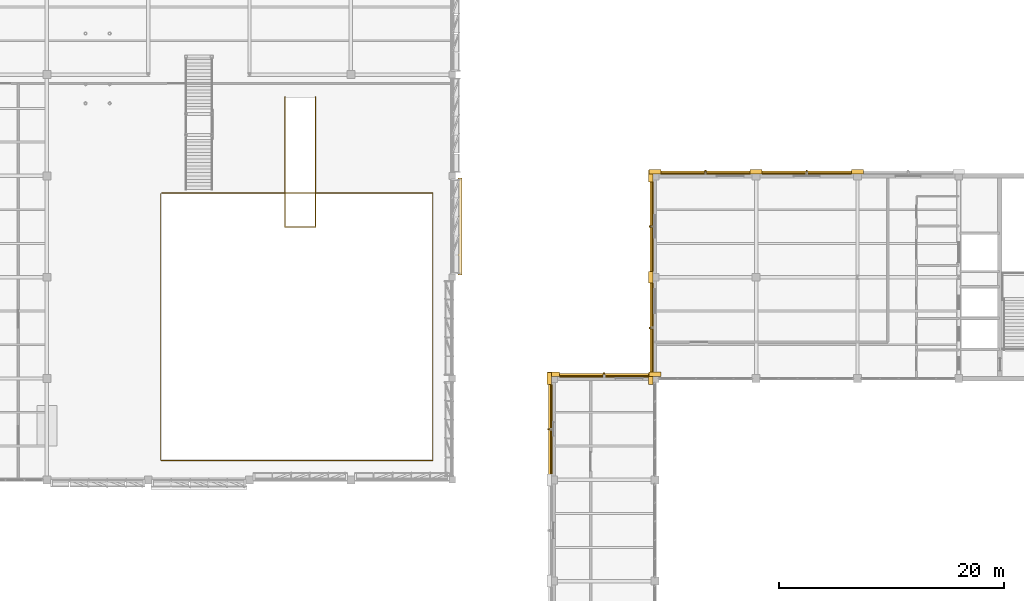
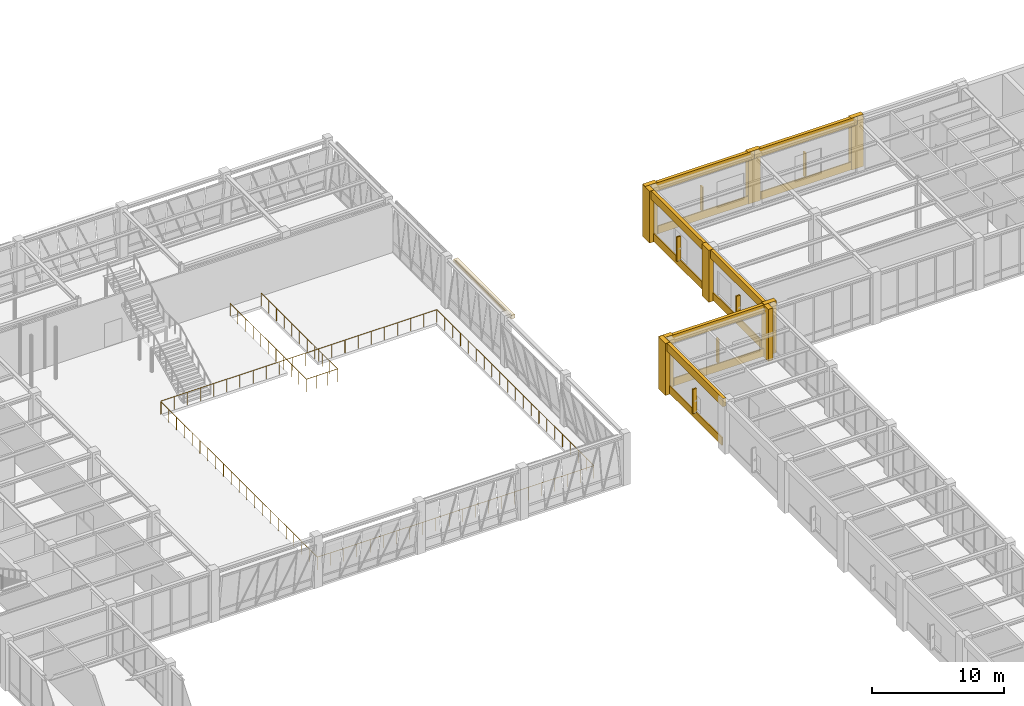
# One storey, part 97 of 98: 22 coverings, 6 shading devices, 2 railings.
"""IFC4 building model written with IfcOpenShell, lengths in metres."""

import ifcopenshell
import ifcopenshell.guid

model = None  # the IFC model being written
_history = None  # IfcOwnerHistory: only IFC2X3 demands one
_inside = {}  # id of a spatial element -> (the spatial element, [elements in it])
_under = {}  # id of a project, library or spatial element -> (it, [spatial elements below it])
_declared = {}  # id of a project -> (the project, [libraries it declares])
_typed = {}  # id of a type object -> (the type object, [elements of that type])
_made_of = {}  # id of a material, layer set ... -> (it, [elements and type objects made of it])


def new_model(schema):
    """Start an empty IFC model of exactly this schema.

    Asked for "IFC4X3", IfcOpenShell would pick the latest addendum, in which some entities
    have other attributes; the version numbers below select the first issue.
    IFC2X3 requires an IfcOwnerHistory on every rooted entity: one is made here for all.
    """
    global model, _history
    if schema == "IFC4X3":
        model = ifcopenshell.file(schema_version=(4, 3, 0, 0))
    else:
        model = ifcopenshell.file(schema=schema)
    _inside.clear()
    _under.clear()
    _declared.clear()
    _typed.clear()
    _made_of.clear()
    _history = None
    if model.schema == "IFC2X3":
        org = make("IfcOrganization", Name="unknown")
        user = make(
            "IfcPersonAndOrganization",
            ThePerson=make("IfcPerson", FamilyName="unknown"),
            TheOrganization=org,
        )
        app = make(
            "IfcApplication",
            ApplicationDeveloper=org,
            Version="unknown",
            ApplicationFullName="unknown",
            ApplicationIdentifier="unknown",
        )
        _history = make(
            "IfcOwnerHistory",
            OwningUser=user,
            OwningApplication=app,
            ChangeAction="ADDED",
            CreationDate=0,
        )
    return model


def make(cls, **values):
    """One entity of the class cls with the attributes given. An attribute that is None is left unset."""
    return model.create_entity(
        cls, **{name: value for name, value in values.items() if value is not None}
    )


def rooted(cls, **values):
    """An entity with a GlobalId (a new one), such as an element, a storey or a relation."""
    return make(cls, GlobalId=ifcopenshell.guid.new(), OwnerHistory=_history, **values)


def si_unit(unit_type, name, prefix=None):
    """IfcSIUnit, for example si_unit("LENGTHUNIT", "METRE", prefix="MILLI")."""
    return make("IfcSIUnit", UnitType=unit_type, Prefix=prefix, Name=name)


def assignment(units):
    """IfcUnitAssignment: the units of a project."""
    return None if units is None else make("IfcUnitAssignment", Units=units)


def point(xyz):
    """IfcCartesianPoint."""
    return None if xyz is None else make("IfcCartesianPoint", Coordinates=xyz)


def direction(xyz):
    """IfcDirection."""
    return None if xyz is None else make("IfcDirection", DirectionRatios=xyz)


def frame(location, z_axis=None, x_axis=None):
    """IfcAxis2Placement3D, a coordinate frame: its origin and axes. An axis left out is left unset."""
    return make(
        "IfcAxis2Placement3D",
        Location=point(location),
        Axis=direction(z_axis),
        RefDirection=direction(x_axis),
    )


def frame_2d(location, x_axis=None):
    """IfcAxis2Placement2D, a coordinate frame in the plane: its origin and x axis."""
    return make(
        "IfcAxis2Placement2D", Location=point(location), RefDirection=direction(x_axis)
    )


def origin():
    """The frame at (0, 0, 0) with its axes left unset."""
    return frame((0.0, 0.0, 0.0))


def origin_2d():
    """The frame at (0, 0) in the plane with its x axis left unset."""
    return frame_2d((0.0, 0.0))


def place(relative_to, where):
    """IfcLocalPlacement: puts the frame where relative to a parent placement (None: the world)."""
    return make(
        "IfcLocalPlacement", PlacementRelTo=relative_to, RelativePlacement=where
    )


def context(
    kind, dimensions, precision=None, world=None, true_north=None, identifier=None
):
    """IfcGeometricRepresentationContext, for example the 3D "Model" context."""
    return make(
        "IfcGeometricRepresentationContext",
        ContextIdentifier=identifier,
        ContextType=kind,
        CoordinateSpaceDimension=dimensions,
        Precision=precision,
        WorldCoordinateSystem=world,
        TrueNorth=true_north,
    )


def subcontext(parent, identifier, kind, view, scale=None):
    """IfcGeometricRepresentationSubContext, for example "Body" below "Model"."""
    return make(
        "IfcGeometricRepresentationSubContext",
        ContextIdentifier=identifier,
        ContextType=kind,
        ParentContext=parent,
        TargetScale=scale,
        TargetView=view,
    )


def project(units=None, contexts=None):
    """IfcProject with its units and contexts."""
    return rooted(
        "IfcProject",
        Name="project",
        RepresentationContexts=contexts,
        UnitsInContext=assignment(units),
    )


def spatial(cls, under=None, at=None, **own):
    """A site, building, storey or space (cls), placed at a placement, below another one or the project."""
    s = rooted(cls, ObjectPlacement=at, **own)
    if under is not None:
        _under.setdefault(under.id(), (under, []))[1].append(s)
    return s


def profile(cls, at=None, kind="AREA", **sizes):
    """A parametric profile (cls). Its sizes go by their IFC names, for example OverallWidth=200.0."""
    return make(cls, ProfileType=kind, Position=at, **sizes)


def rectangle(**sizes):
    """IfcRectangleProfileDef."""
    return profile("IfcRectangleProfileDef", **sizes)


def circle(**sizes):
    """IfcCircleProfileDef."""
    return profile("IfcCircleProfileDef", **sizes)


def extrude(swept, where, along, depth):
    """IfcExtrudedAreaSolid: the profile swept, set in the frame where, extruded along a direction by depth."""
    return make(
        "IfcExtrudedAreaSolid",
        SweptArea=swept,
        Position=where,
        ExtrudedDirection=direction(along),
        Depth=depth,
    )


def shape(context_of_items, identifier, shape_type, items):
    """IfcShapeRepresentation: the items that make up one representation, for example the "Body"."""
    return make(
        "IfcShapeRepresentation",
        ContextOfItems=context_of_items,
        RepresentationIdentifier=identifier,
        RepresentationType=shape_type,
        Items=items,
    )


def material(Name=None, Category=None):
    """IfcMaterial."""
    return make("IfcMaterial", Name=Name, Category=Category)


def layer(
    of_material, thickness, ventilated=None, Name=None, Category=None, Priority=None
):
    """IfcMaterialLayer: one layer of a wall or slab, of a material (None: an air gap)."""
    return make(
        "IfcMaterialLayer",
        Material=of_material,
        LayerThickness=thickness,
        IsVentilated=ventilated,
        Name=Name,
        Category=Category,
        Priority=Priority,
    )


def layer_set(layers, Name=None):
    """IfcMaterialLayerSet."""
    return make("IfcMaterialLayerSet", MaterialLayers=layers, LayerSetName=Name)


def made_of(thing, what):
    """Note that an element or type object is made of a material, layer set ...; save() writes the relation."""
    if what is not None:
        _made_of.setdefault(what.id(), (what, []))[1].append(thing)
    return thing


def type_object(cls, material=None, **own):
    """A type object (cls), such as IfcWallType, which elements share."""
    return made_of(rooted(cls, **own), material)


def element(
    cls,
    number,
    at=None,
    inside=None,
    cuts=None,
    type_object=None,
    material=None,
    context=None,
    identifier="Body",
    shape_type=None,
    held_by="IfcProductDefinitionShape",
    body=None,
    shapes=None,
    **own,
):
    """One element of the class cls, such as IfcWall. Its Tag is "e" and its number.

    at: its placement. inside: the storey or other place that contains it. cuts: it is an
    opening in that element (IfcRelVoidsElement). A single representation is given by context,
    identifier, shape_type and body (its items); several are given by shapes. held_by: the class
    of the entity that holds the representations. save() writes the other relations.
    """
    e = rooted(cls, Tag="e%d" % number, ObjectPlacement=at, **own)
    if body is not None:
        shapes = [shape(context, identifier, shape_type, body)]
    if shapes is not None:
        e.Representation = make(held_by, Representations=shapes)
    if inside is not None:
        _inside.setdefault(inside.id(), (inside, []))[1].append(e)
    if cuts is not None:
        rooted(
            "IfcRelVoidsElement", RelatingBuildingElement=cuts, RelatedOpeningElement=e
        )
    if type_object is not None:
        _typed.setdefault(type_object.id(), (type_object, []))[1].append(e)
    return made_of(e, material)


def aggregate(whole, parts):
    """IfcRelAggregates: a whole, such as a stair, and the parts it consists of."""
    return rooted("IfcRelAggregates", RelatingObject=whole, RelatedObjects=parts)


def save(model, path):
    """Write the relations noted so far, then the file.

    IfcRelAggregates (storeys below a building ...), IfcRelContainedInSpatialStructure (elements
    in a storey), IfcRelDefinesByType, IfcRelAssociatesMaterial and IfcRelDeclares: one each for
    every whole, place, type object, material and project.
    """
    for whole, parts in _under.values():
        aggregate(whole, parts)
    for where, things in _inside.values():
        rooted(
            "IfcRelContainedInSpatialStructure",
            RelatedElements=things,
            RelatingStructure=where,
        )
    for kind, things in _typed.values():
        rooted("IfcRelDefinesByType", RelatedObjects=things, RelatingType=kind)
    for what, things in _made_of.values():
        rooted("IfcRelAssociatesMaterial", RelatedObjects=things, RelatingMaterial=what)
    for by, libraries in _declared.values():
        rooted("IfcRelDeclares", RelatingContext=by, RelatedDefinitions=libraries)
    model.write(path)


model = new_model("IFC4")

# Units and contexts
model_context = context("Model", 3, precision=1e-05, world=origin(), true_north=direction((0.0, 1.0)))
body_context = subcontext(model_context, "Body", "Model", "MODEL_VIEW")
ifc_project = project(units=[si_unit("LENGTHUNIT", "METRE"), si_unit("AREAUNIT", "SQUARE_METRE"), si_unit("VOLUMEUNIT", "CUBIC_METRE"), si_unit("PLANEANGLEUNIT", "RADIAN"), si_unit("MASSUNIT", "GRAM", prefix="KILO")], contexts=[model_context])

# Site, building, storey
site_placement = place(None, origin())
site = spatial("IfcSite", under=ifc_project, at=site_placement, CompositionType="ELEMENT")
building_placement = place(site_placement, origin())
building = spatial("IfcBuilding", under=site, at=building_placement, Name="Lykobir Media Centre", CompositionType="ELEMENT")
storey_placement = place(building_placement, frame((0.0, 0.0, 10.199951171875)))
storey = spatial("IfcBuildingStorey", under=building, at=storey_placement, Name="L02", CompositionType="ELEMENT", Elevation=10.199951171875)

# Coverings
ifc_material_1 = material(Name="Glazed Turquoise Terracotta", Category="masonry")
ifc_layer_1 = layer(ifc_material_1, 0.0400390625, Name="Glazed Turquoise Terracotta")
ifc_layer_set_1 = layer_set([ifc_layer_1], Name="Glazed Turquoise Terracotta")
covering_type_1 = type_object("IfcCoveringType", Name="CLD-TERR", PredefinedType="CLADDING", material=ifc_layer_set_1)
for number, where, z_axis, x_axis, name in (
    (1, (94.5, 72.180908203125, 0.080078125), (0.0, 0.0, 1.0), (-1.0, 0.0, 0.0), "Facade spandrel apron 377"),
    (2, (89.819091796875, 67.5, 0.080078125), (0.0, 0.0, 1.0), (0.0, -1.0, 0.0), "Facade spandrel apron 396"),
    (3, (103.5, 90.180908203125, 0.080078125), (0.0, 0.0, 1.0), (-1.0, 0.0, 0.0), "Facade spandrel apron 422"),
    (4, (112.5, 90.180908203125, 0.080078125), (0.0, 0.0, 1.0), (-1.0, 0.0, 0.0), "Facade spandrel apron 425"),
    (5, (98.819091796875, 76.5, 0.080078125), (0.0, 0.0, 1.0), (0.0, -1.0, 0.0), "Facade spandrel apron 432"),
    (6, (98.819091796875, 85.5, 0.080078125), (0.0, 0.0, 1.0), (0.0, -1.0, 0.0), "Facade spandrel apron 435"),
):
    element("IfcCovering", number, at=place(storey_placement, frame(where, z_axis=z_axis, x_axis=x_axis)), inside=storey, type_object=covering_type_1, Name=name, PredefinedType="CLADDING", context=body_context, shape_type="SweptSolid", body=[
        extrude(rectangle(XDim=7.929931640625, YDim=0.10009765625, at=origin_2d()), origin(), (0.0, 0.0, 1.0), 0.719970703125),
    ])
ifc_material_2 = material(Name="Honed Travertine Stone", Category="masonry")
ifc_layer_2 = layer(ifc_material_2, 0.050048828125, Name="Honed Travertine Stone")
ifc_layer_set_2 = layer_set([ifc_layer_2], Name="Honed Travertine Stone")
covering_type_2 = type_object("IfcCoveringType", Name="CLD-TRAV", PredefinedType="CLADDING", material=ifc_layer_set_2)
covering_1_placement = place(storey_placement, frame((81.690185546875, 85.5, 3.9248046875), z_axis=(0.0, 0.0, 1.0), x_axis=(0.0, 1.0, 0.0)))
element("IfcCovering", 7, at=covering_1_placement, inside=storey, type_object=covering_type_2, Name="V6 diagonal crease rib 333", PredefinedType="CLADDING", context=body_context, shape_type="SweptSolid", body=[
    extrude(rectangle(XDim=8.6298828125, YDim=0.360107421875, at=origin_2d()), origin(), (0.0, 0.0, 1.0), 0.340087890625),
])
for number, where, z_axis, x_axis, name in (
    (8, (99.0, 72.3798828125, 0.0), (0.0, 0.0, 1.0), (-1.0, 0.0, 0.0), "Travertine column pier 374"),
    (9, (90.0, 72.3798828125, 0.0), (0.0, 0.0, 1.0), (-1.0, 0.0, 0.0), "Travertine column pier 375"),
):
    element("IfcCovering", number, at=place(storey_placement, frame(where, z_axis=z_axis, x_axis=x_axis)), inside=storey, type_object=covering_type_2, Name=name, PredefinedType="CLADDING", context=body_context, shape_type="SweptSolid", body=[
        extrude(rectangle(XDim=1.06005859375, YDim=0.39990234375, at=origin_2d()), origin(), (0.0, 0.0, 1.0), 4.800048828125),
    ])
covering_2_placement = place(storey_placement, frame((94.5, 72.300048828125, 4.0400390625), z_axis=(0.0, 0.0, 1.0), x_axis=(-1.0, 0.0, 0.0)))
element("IfcCovering", 10, at=covering_2_placement, inside=storey, type_object=covering_type_2, Name="Travertine spandrel stringcourse 376", PredefinedType="CLADDING", context=body_context, shape_type="SweptSolid", body=[
    extrude(rectangle(XDim=9.0, YDim=0.280029296875, at=origin_2d()), origin(), (0.0, 0.0, 1.0), 0.760009765625),
])
covering_3_placement = place(storey_placement, frame((89.6201171875, 72.0, 0.0), z_axis=(0.0, 0.0, 1.0), x_axis=(0.0, -1.0, 0.0)))
element("IfcCovering", 11, at=covering_3_placement, inside=storey, type_object=covering_type_2, Name="Travertine column pier 394", PredefinedType="CLADDING", context=body_context, shape_type="SweptSolid", body=[
    extrude(rectangle(XDim=1.06005859375, YDim=0.39990234375, at=origin_2d()), origin(), (0.0, 0.0, 1.0), 4.800048828125),
])
covering_4_placement = place(storey_placement, frame((89.699951171875, 67.5, 4.0400390625), z_axis=(0.0, 0.0, 1.0), x_axis=(0.0, -1.0, 0.0)))
element("IfcCovering", 12, at=covering_4_placement, inside=storey, type_object=covering_type_2, Name="Travertine spandrel stringcourse 395", PredefinedType="CLADDING", context=body_context, shape_type="SweptSolid", body=[
    extrude(rectangle(XDim=9.0, YDim=0.280029296875, at=origin_2d()), origin(), (0.0, 0.0, 1.0), 0.760009765625),
])
for number, where, z_axis, x_axis, name in (
    (13, (108.0, 90.3798828125, 0.0), (0.0, 0.0, 1.0), (-1.0, 0.0, 0.0), "Travertine column pier 419"),
    (14, (99.0, 90.3798828125, 0.0), (0.0, 0.0, 1.0), (-1.0, 0.0, 0.0), "Travertine column pier 420"),
):
    element("IfcCovering", number, at=place(storey_placement, frame(where, z_axis=z_axis, x_axis=x_axis)), inside=storey, type_object=covering_type_2, Name=name, PredefinedType="CLADDING", context=body_context, shape_type="SweptSolid", body=[
        extrude(rectangle(XDim=1.06005859375, YDim=0.39990234375, at=origin_2d()), origin(), (0.0, 0.0, 1.0), 4.800048828125),
    ])
covering_5_placement = place(storey_placement, frame((103.5, 90.300048828125, 4.0400390625), z_axis=(0.0, 0.0, 1.0), x_axis=(-1.0, 0.0, 0.0)))
element("IfcCovering", 15, at=covering_5_placement, inside=storey, type_object=covering_type_2, Name="Travertine spandrel stringcourse 421", PredefinedType="CLADDING", context=body_context, shape_type="SweptSolid", body=[
    extrude(rectangle(XDim=9.0, YDim=0.280029296875, at=origin_2d()), origin(), (0.0, 0.0, 1.0), 0.760009765625),
])
covering_6_placement = place(storey_placement, frame((117.0, 90.3798828125, 0.0), z_axis=(0.0, 0.0, 1.0), x_axis=(-1.0, 0.0, 0.0)))
element("IfcCovering", 16, at=covering_6_placement, inside=storey, type_object=covering_type_2, Name="Travertine column pier 423", PredefinedType="CLADDING", context=body_context, shape_type="SweptSolid", body=[
    extrude(rectangle(XDim=1.06005859375, YDim=0.39990234375, at=origin_2d()), origin(), (0.0, 0.0, 1.0), 4.800048828125),
])
covering_7_placement = place(storey_placement, frame((112.5, 90.300048828125, 4.0400390625), z_axis=(0.0, 0.0, 1.0), x_axis=(-1.0, 0.0, 0.0)))
element("IfcCovering", 17, at=covering_7_placement, inside=storey, type_object=covering_type_2, Name="Travertine spandrel stringcourse 424", PredefinedType="CLADDING", context=body_context, shape_type="SweptSolid", body=[
    extrude(rectangle(XDim=9.0, YDim=0.280029296875, at=origin_2d()), origin(), (0.0, 0.0, 1.0), 0.760009765625),
])
for number, where, z_axis, x_axis, name in (
    (18, (98.6201171875, 81.0, 0.0), (0.0, 0.0, 1.0), (0.0, -1.0, 0.0), "Travertine column pier 429"),
    (19, (98.6201171875, 72.0, 0.0), (0.0, 0.0, 1.0), (0.0, -1.0, 0.0), "Travertine column pier 430"),
):
    element("IfcCovering", number, at=place(storey_placement, frame(where, z_axis=z_axis, x_axis=x_axis)), inside=storey, type_object=covering_type_2, Name=name, PredefinedType="CLADDING", context=body_context, shape_type="SweptSolid", body=[
        extrude(rectangle(XDim=1.06005859375, YDim=0.39990234375, at=origin_2d()), origin(), (0.0, 0.0, 1.0), 4.800048828125),
    ])
covering_8_placement = place(storey_placement, frame((98.699951171875, 76.5, 4.0400390625), z_axis=(0.0, 0.0, 1.0), x_axis=(0.0, -1.0, 0.0)))
element("IfcCovering", 20, at=covering_8_placement, inside=storey, type_object=covering_type_2, Name="Travertine spandrel stringcourse 431", PredefinedType="CLADDING", context=body_context, shape_type="SweptSolid", body=[
    extrude(rectangle(XDim=9.0, YDim=0.280029296875, at=origin_2d()), origin(), (0.0, 0.0, 1.0), 0.760009765625),
])
covering_9_placement = place(storey_placement, frame((98.6201171875, 90.0, 0.0), z_axis=(0.0, 0.0, 1.0), x_axis=(0.0, -1.0, 0.0)))
element("IfcCovering", 21, at=covering_9_placement, inside=storey, type_object=covering_type_2, Name="Travertine column pier 433", PredefinedType="CLADDING", context=body_context, shape_type="SweptSolid", body=[
    extrude(rectangle(XDim=1.06005859375, YDim=0.39990234375, at=origin_2d()), origin(), (0.0, 0.0, 1.0), 4.800048828125),
])
covering_10_placement = place(storey_placement, frame((98.699951171875, 85.5, 4.0400390625), z_axis=(0.0, 0.0, 1.0), x_axis=(0.0, -1.0, 0.0)))
element("IfcCovering", 22, at=covering_10_placement, inside=storey, type_object=covering_type_2, Name="Travertine spandrel stringcourse 434", PredefinedType="CLADDING", context=body_context, shape_type="SweptSolid", body=[
    extrude(rectangle(XDim=9.0, YDim=0.280029296875, at=origin_2d()), origin(), (0.0, 0.0, 1.0), 0.760009765625),
])

# Railings
ifc_material_3 = material(Name="Steel S355", Category="steel")
railing_type = type_object("IfcRailingType", Name="GR-1200", PredefinedType="BALUSTRADE", material=ifc_material_3)
railing_1_placement = place(storey_placement, frame((66.14501953125, 97.02001953125, 0.0)))
element("IfcRailing", 23, at=railing_1_placement, inside=storey, type_object=railing_type, Name="Valley stair 2 L02 well balustrade", PredefinedType="BALUSTRADE", context=body_context, shape_type="SweptSolid", body=[
    extrude(circle(Radius=0.02392578125, at=origin_2d()), frame((0.0, 0.0, 1.17578125), z_axis=(0.0, -1.0, 0.0), x_axis=(1.0, 0.0, 0.0)), (0.0, 0.0, 1.0), 11.56005859375),
    extrude(circle(Radius=0.02392578125, at=origin_2d()), frame((0.0, -11.56005859375, 1.17578125), z_axis=(1.0, 0.0, 0.0), x_axis=(0.0, 1.0, 0.0)), (0.0, 0.0, 1.0), 2.7099609375),
    extrude(circle(Radius=0.02392578125, at=origin_2d()), frame((2.7099609375, -11.56005859375, 1.17578125), z_axis=(0.0, 1.0, 0.0), x_axis=(-1.0, 0.0, 0.0)), (0.0, 0.0, 1.0), 11.56005859375),
    extrude(circle(Radius=0.02099609375, at=origin_2d()), origin(), (0.0, 0.0, 1.0), 1.15185546875),
    extrude(circle(Radius=0.02099609375, at=origin_2d()), frame((0.0, -1.156005859375, 0.0)), (0.0, 0.0, 1.0), 1.15185546875),
    extrude(circle(Radius=0.02099609375, at=origin_2d()), frame((0.0, -2.31201171875, 0.0)), (0.0, 0.0, 1.0), 1.15185546875),
    extrude(circle(Radius=0.02099609375, at=origin_2d()), frame((0.0, -3.468017578125, 0.0)), (0.0, 0.0, 1.0), 1.15185546875),
    extrude(circle(Radius=0.02099609375, at=origin_2d()), frame((0.0, -4.6240234375, 0.0)), (0.0, 0.0, 1.0), 1.15185546875),
    extrude(circle(Radius=0.02099609375, at=origin_2d()), frame((0.0, -5.780029296875, 0.0)), (0.0, 0.0, 1.0), 1.15185546875),
    extrude(circle(Radius=0.02099609375, at=origin_2d()), frame((0.0, -6.93603515625, 0.0)), (0.0, 0.0, 1.0), 1.15185546875),
    extrude(circle(Radius=0.02099609375, at=origin_2d()), frame((0.0, -8.092041015625, 0.0)), (0.0, 0.0, 1.0), 1.15185546875),
    extrude(circle(Radius=0.02099609375, at=origin_2d()), frame((0.0, -9.248046875, 0.0)), (0.0, 0.0, 1.0), 1.15185546875),
    extrude(circle(Radius=0.02099609375, at=origin_2d()), frame((0.0, -10.404052734375, 0.0)), (0.0, 0.0, 1.0), 1.15185546875),
    extrude(circle(Radius=0.02099609375, at=origin_2d()), frame((0.0, -11.56005859375, 0.0)), (0.0, 0.0, 1.0), 1.15185546875),
    extrude(circle(Radius=0.02099609375, at=origin_2d()), frame((0.9033203125, -11.56005859375, 0.0)), (0.0, 0.0, 1.0), 1.15185546875),
    extrude(circle(Radius=0.02099609375, at=origin_2d()), frame((1.806640625, -11.56005859375, 0.0)), (0.0, 0.0, 1.0), 1.15185546875),
    extrude(circle(Radius=0.02099609375, at=origin_2d()), frame((2.7099609375, -11.56005859375, 0.0)), (0.0, 0.0, 1.0), 1.15185546875),
    extrude(circle(Radius=0.02099609375, at=origin_2d()), frame((2.7099609375, -10.404052734375, 0.0)), (0.0, 0.0, 1.0), 1.15185546875),
    extrude(circle(Radius=0.02099609375, at=origin_2d()), frame((2.7099609375, -9.248046875, 0.0)), (0.0, 0.0, 1.0), 1.15185546875),
    extrude(circle(Radius=0.02099609375, at=origin_2d()), frame((2.7099609375, -8.092041015625, 0.0)), (0.0, 0.0, 1.0), 1.15185546875),
    extrude(circle(Radius=0.02099609375, at=origin_2d()), frame((2.7099609375, -6.93603515625, 0.0)), (0.0, 0.0, 1.0), 1.15185546875),
    extrude(circle(Radius=0.02099609375, at=origin_2d()), frame((2.7099609375, -5.780029296875, 0.0)), (0.0, 0.0, 1.0), 1.15185546875),
    extrude(circle(Radius=0.02099609375, at=origin_2d()), frame((2.7099609375, -4.6240234375, 0.0)), (0.0, 0.0, 1.0), 1.15185546875),
    extrude(circle(Radius=0.02099609375, at=origin_2d()), frame((2.7099609375, -3.468017578125, 0.0)), (0.0, 0.0, 1.0), 1.15185546875),
    extrude(circle(Radius=0.02099609375, at=origin_2d()), frame((2.7099609375, -2.31201171875, 0.0)), (0.0, 0.0, 1.0), 1.15185546875),
    extrude(circle(Radius=0.02099609375, at=origin_2d()), frame((2.7099609375, -1.156005859375, 0.0)), (0.0, 0.0, 1.0), 1.15185546875),
    extrude(circle(Radius=0.02099609375, at=origin_2d()), frame((2.7099609375, 0.0, 0.0)), (0.0, 0.0, 1.0), 1.15185546875),
])
railing_2_placement = place(storey_placement, frame((55.1201171875, 88.419921875, 0.0)))
element("IfcRailing", 24, at=railing_2_placement, inside=storey, type_object=railing_type, Name="L02 stepped valley atrium balustrade", PredefinedType="BALUSTRADE", context=body_context, shape_type="SweptSolid", body=[
    extrude(circle(Radius=0.02392578125, at=origin_2d()), frame((0.0, 0.0, 1.17578125), z_axis=(0.0, -1.0, 0.0), x_axis=(1.0, 0.0, 0.0)), (0.0, 0.0, 1.0), 23.699951171875),
    extrude(circle(Radius=0.02392578125, at=origin_2d()), frame((0.0, -23.699951171875, 1.17578125), z_axis=(1.0, 0.0, 0.0), x_axis=(0.0, 1.0, 0.0)), (0.0, 0.0, 1.0), 24.159912109375),
    extrude(circle(Radius=0.02392578125, at=origin_2d()), frame((24.159912109375, -23.699951171875, 1.17578125), z_axis=(0.0, 1.0, 0.0), x_axis=(-1.0, 0.0, 0.0)), (0.0, 0.0, 1.0), 23.760009765625),
    extrude(circle(Radius=0.02392578125, at=origin_2d()), frame((24.159912109375, 0.06005859375, 1.17578125), z_axis=(-1.0, 0.0, 0.0), x_axis=(0.0, -1.0, 0.0)), (0.0, 0.0, 1.0), 24.10009765625),
    extrude(circle(Radius=0.02099609375, at=origin_2d()), origin(), (0.0, 0.0, 1.0), 1.15185546875),
    extrude(circle(Radius=0.02099609375, at=origin_2d()), frame((0.0, -1.18505859375, 0.0)), (0.0, 0.0, 1.0), 1.15185546875),
    extrude(circle(Radius=0.02099609375, at=origin_2d()), frame((0.0, -2.3701171875, 0.0)), (0.0, 0.0, 1.0), 1.15185546875),
    extrude(circle(Radius=0.02099609375, at=origin_2d()), frame((0.0, -3.554931640625, 0.0)), (0.0, 0.0, 1.0), 1.15185546875),
    extrude(circle(Radius=0.02099609375, at=origin_2d()), frame((0.0, -4.739990234375, 0.0)), (0.0, 0.0, 1.0), 1.15185546875),
    extrude(circle(Radius=0.02099609375, at=origin_2d()), frame((0.0, -5.925048828125, 0.0)), (0.0, 0.0, 1.0), 1.15185546875),
    extrude(circle(Radius=0.02099609375, at=origin_2d()), frame((0.0, -7.10986328125, 0.0)), (0.0, 0.0, 1.0), 1.15185546875),
    extrude(circle(Radius=0.02099609375, at=origin_2d()), frame((0.0, -8.294921875, 0.0)), (0.0, 0.0, 1.0), 1.15185546875),
    extrude(circle(Radius=0.02099609375, at=origin_2d()), frame((0.0, -9.47998046875, 0.0)), (0.0, 0.0, 1.0), 1.15185546875),
    extrude(circle(Radius=0.02099609375, at=origin_2d()), frame((0.0, -10.6650390625, 0.0)), (0.0, 0.0, 1.0), 1.15185546875),
    extrude(circle(Radius=0.02099609375, at=origin_2d()), frame((0.0, -11.85009765625, 0.0)), (0.0, 0.0, 1.0), 1.15185546875),
    extrude(circle(Radius=0.02099609375, at=origin_2d()), frame((0.0, -13.034912109375, 0.0)), (0.0, 0.0, 1.0), 1.15185546875),
    extrude(circle(Radius=0.02099609375, at=origin_2d()), frame((0.0, -14.219970703125, 0.0)), (0.0, 0.0, 1.0), 1.15185546875),
    extrude(circle(Radius=0.02099609375, at=origin_2d()), frame((0.0, -15.405029296875, 0.0)), (0.0, 0.0, 1.0), 1.15185546875),
    extrude(circle(Radius=0.02099609375, at=origin_2d()), frame((0.0, -16.58984375, 0.0)), (0.0, 0.0, 1.0), 1.15185546875),
    extrude(circle(Radius=0.02099609375, at=origin_2d()), frame((0.0, -17.77490234375, 0.0)), (0.0, 0.0, 1.0), 1.15185546875),
    extrude(circle(Radius=0.02099609375, at=origin_2d()), frame((0.0, -18.9599609375, 0.0)), (0.0, 0.0, 1.0), 1.15185546875),
    extrude(circle(Radius=0.02099609375, at=origin_2d()), frame((0.0, -20.14501953125, 0.0)), (0.0, 0.0, 1.0), 1.15185546875),
    extrude(circle(Radius=0.02099609375, at=origin_2d()), frame((0.0, -21.330078125, 0.0)), (0.0, 0.0, 1.0), 1.15185546875),
    extrude(circle(Radius=0.02099609375, at=origin_2d()), frame((0.0, -22.514892578125, 0.0)), (0.0, 0.0, 1.0), 1.15185546875),
    extrude(circle(Radius=0.02099609375, at=origin_2d()), frame((0.0, -23.699951171875, 0.0)), (0.0, 0.0, 1.0), 1.15185546875),
    extrude(circle(Radius=0.02099609375, at=origin_2d()), frame((1.150390625, -23.699951171875, 0.0)), (0.0, 0.0, 1.0), 1.15185546875),
    extrude(circle(Radius=0.02099609375, at=origin_2d()), frame((2.301025390625, -23.699951171875, 0.0)), (0.0, 0.0, 1.0), 1.15185546875),
    extrude(circle(Radius=0.02099609375, at=origin_2d()), frame((3.451416015625, -23.699951171875, 0.0)), (0.0, 0.0, 1.0), 1.15185546875),
    extrude(circle(Radius=0.02099609375, at=origin_2d()), frame((4.601806640625, -23.699951171875, 0.0)), (0.0, 0.0, 1.0), 1.15185546875),
    extrude(circle(Radius=0.02099609375, at=origin_2d()), frame((5.75244140625, -23.699951171875, 0.0)), (0.0, 0.0, 1.0), 1.15185546875),
    extrude(circle(Radius=0.02099609375, at=origin_2d()), frame((6.90283203125, -23.699951171875, 0.0)), (0.0, 0.0, 1.0), 1.15185546875),
    extrude(circle(Radius=0.02099609375, at=origin_2d()), frame((8.05322265625, -23.699951171875, 0.0)), (0.0, 0.0, 1.0), 1.15185546875),
    extrude(circle(Radius=0.02099609375, at=origin_2d()), frame((9.203857421875, -23.699951171875, 0.0)), (0.0, 0.0, 1.0), 1.15185546875),
    extrude(circle(Radius=0.02099609375, at=origin_2d()), frame((10.354248046875, -23.699951171875, 0.0)), (0.0, 0.0, 1.0), 1.15185546875),
    extrude(circle(Radius=0.02099609375, at=origin_2d()), frame((11.504638671875, -23.699951171875, 0.0)), (0.0, 0.0, 1.0), 1.15185546875),
    extrude(circle(Radius=0.02099609375, at=origin_2d()), frame((12.6552734375, -23.699951171875, 0.0)), (0.0, 0.0, 1.0), 1.15185546875),
    extrude(circle(Radius=0.02099609375, at=origin_2d()), frame((13.8056640625, -23.699951171875, 0.0)), (0.0, 0.0, 1.0), 1.15185546875),
    extrude(circle(Radius=0.02099609375, at=origin_2d()), frame((14.9560546875, -23.699951171875, 0.0)), (0.0, 0.0, 1.0), 1.15185546875),
    extrude(circle(Radius=0.02099609375, at=origin_2d()), frame((16.106689453125, -23.699951171875, 0.0)), (0.0, 0.0, 1.0), 1.15185546875),
    extrude(circle(Radius=0.02099609375, at=origin_2d()), frame((17.257080078125, -23.699951171875, 0.0)), (0.0, 0.0, 1.0), 1.15185546875),
    extrude(circle(Radius=0.02099609375, at=origin_2d()), frame((18.407470703125, -23.699951171875, 0.0)), (0.0, 0.0, 1.0), 1.15185546875),
    extrude(circle(Radius=0.02099609375, at=origin_2d()), frame((19.55810546875, -23.699951171875, 0.0)), (0.0, 0.0, 1.0), 1.15185546875),
    extrude(circle(Radius=0.02099609375, at=origin_2d()), frame((20.70849609375, -23.699951171875, 0.0)), (0.0, 0.0, 1.0), 1.15185546875),
    extrude(circle(Radius=0.02099609375, at=origin_2d()), frame((21.85888671875, -23.699951171875, 0.0)), (0.0, 0.0, 1.0), 1.15185546875),
    extrude(circle(Radius=0.02099609375, at=origin_2d()), frame((23.009521484375, -23.699951171875, 0.0)), (0.0, 0.0, 1.0), 1.15185546875),
    extrude(circle(Radius=0.02099609375, at=origin_2d()), frame((24.159912109375, -23.699951171875, 0.0)), (0.0, 0.0, 1.0), 1.15185546875),
    extrude(circle(Radius=0.02099609375, at=origin_2d()), frame((24.159912109375, -22.511962890625, 0.0)), (0.0, 0.0, 1.0), 1.15185546875),
    extrude(circle(Radius=0.02099609375, at=origin_2d()), frame((24.159912109375, -21.323974609375, 0.0)), (0.0, 0.0, 1.0), 1.15185546875),
    extrude(circle(Radius=0.02099609375, at=origin_2d()), frame((24.159912109375, -20.135986328125, 0.0)), (0.0, 0.0, 1.0), 1.15185546875),
    extrude(circle(Radius=0.02099609375, at=origin_2d()), frame((24.159912109375, -18.947998046875, 0.0)), (0.0, 0.0, 1.0), 1.15185546875),
    extrude(circle(Radius=0.02099609375, at=origin_2d()), frame((24.159912109375, -17.760009765625, 0.0)), (0.0, 0.0, 1.0), 1.15185546875),
    extrude(circle(Radius=0.02099609375, at=origin_2d()), frame((24.159912109375, -16.572021484375, 0.0)), (0.0, 0.0, 1.0), 1.15185546875),
    extrude(circle(Radius=0.02099609375, at=origin_2d()), frame((24.159912109375, -15.384033203125, 0.0)), (0.0, 0.0, 1.0), 1.15185546875),
    extrude(circle(Radius=0.02099609375, at=origin_2d()), frame((24.159912109375, -14.196044921875, 0.0)), (0.0, 0.0, 1.0), 1.15185546875),
    extrude(circle(Radius=0.02099609375, at=origin_2d()), frame((24.159912109375, -13.008056640625, 0.0)), (0.0, 0.0, 1.0), 1.15185546875),
    extrude(circle(Radius=0.02099609375, at=origin_2d()), frame((24.159912109375, -11.81982421875, 0.0)), (0.0, 0.0, 1.0), 1.15185546875),
    extrude(circle(Radius=0.02099609375, at=origin_2d()), frame((24.159912109375, -10.6318359375, 0.0)), (0.0, 0.0, 1.0), 1.15185546875),
    extrude(circle(Radius=0.02099609375, at=origin_2d()), frame((24.159912109375, -9.44384765625, 0.0)), (0.0, 0.0, 1.0), 1.15185546875),
    extrude(circle(Radius=0.02099609375, at=origin_2d()), frame((24.159912109375, -8.255859375, 0.0)), (0.0, 0.0, 1.0), 1.15185546875),
    extrude(circle(Radius=0.02099609375, at=origin_2d()), frame((24.159912109375, -7.06787109375, 0.0)), (0.0, 0.0, 1.0), 1.15185546875),
    extrude(circle(Radius=0.02099609375, at=origin_2d()), frame((24.159912109375, -5.8798828125, 0.0)), (0.0, 0.0, 1.0), 1.15185546875),
    extrude(circle(Radius=0.02099609375, at=origin_2d()), frame((24.159912109375, -4.69189453125, 0.0)), (0.0, 0.0, 1.0), 1.15185546875),
    extrude(circle(Radius=0.02099609375, at=origin_2d()), frame((24.159912109375, -3.50390625, 0.0)), (0.0, 0.0, 1.0), 1.15185546875),
    extrude(circle(Radius=0.02099609375, at=origin_2d()), frame((24.159912109375, -2.31591796875, 0.0)), (0.0, 0.0, 1.0), 1.15185546875),
    extrude(circle(Radius=0.02099609375, at=origin_2d()), frame((24.159912109375, -1.1279296875, 0.0)), (0.0, 0.0, 1.0), 1.15185546875),
    extrude(circle(Radius=0.02099609375, at=origin_2d()), frame((24.159912109375, 0.06005859375, 0.0)), (0.0, 0.0, 1.0), 1.15185546875),
    extrude(circle(Radius=0.02099609375, at=origin_2d()), frame((23.01220703125, 0.06005859375, 0.0)), (0.0, 0.0, 1.0), 1.15185546875),
    extrude(circle(Radius=0.02099609375, at=origin_2d()), frame((21.86474609375, 0.06005859375, 0.0)), (0.0, 0.0, 1.0), 1.15185546875),
    extrude(circle(Radius=0.02099609375, at=origin_2d()), frame((20.717041015625, 0.06005859375, 0.0)), (0.0, 0.0, 1.0), 1.15185546875),
    extrude(circle(Radius=0.02099609375, at=origin_2d()), frame((19.5693359375, 0.06005859375, 0.0)), (0.0, 0.0, 1.0), 1.15185546875),
    extrude(circle(Radius=0.02099609375, at=origin_2d()), frame((18.421875, 0.06005859375, 0.0)), (0.0, 0.0, 1.0), 1.15185546875),
    extrude(circle(Radius=0.02099609375, at=origin_2d()), frame((17.274169921875, 0.06005859375, 0.0)), (0.0, 0.0, 1.0), 1.15185546875),
    extrude(circle(Radius=0.02099609375, at=origin_2d()), frame((16.12646484375, 0.06005859375, 0.0)), (0.0, 0.0, 1.0), 1.15185546875),
    extrude(circle(Radius=0.02099609375, at=origin_2d()), frame((14.97900390625, 0.06005859375, 0.0)), (0.0, 0.0, 1.0), 1.15185546875),
    extrude(circle(Radius=0.02099609375, at=origin_2d()), frame((13.831298828125, 0.06005859375, 0.0)), (0.0, 0.0, 1.0), 1.15185546875),
    extrude(circle(Radius=0.02099609375, at=origin_2d()), frame((12.68359375, 0.06005859375, 0.0)), (0.0, 0.0, 1.0), 1.15185546875),
    extrude(circle(Radius=0.02099609375, at=origin_2d()), frame((11.5361328125, 0.06005859375, 0.0)), (0.0, 0.0, 1.0), 1.15185546875),
    extrude(circle(Radius=0.02099609375, at=origin_2d()), frame((10.388427734375, 0.06005859375, 0.0)), (0.0, 0.0, 1.0), 1.15185546875),
    extrude(circle(Radius=0.02099609375, at=origin_2d()), frame((9.24072265625, 0.06005859375, 0.0)), (0.0, 0.0, 1.0), 1.15185546875),
    extrude(circle(Radius=0.02099609375, at=origin_2d()), frame((8.09326171875, 0.06005859375, 0.0)), (0.0, 0.0, 1.0), 1.15185546875),
    extrude(circle(Radius=0.02099609375, at=origin_2d()), frame((6.945556640625, 0.06005859375, 0.0)), (0.0, 0.0, 1.0), 1.15185546875),
    extrude(circle(Radius=0.02099609375, at=origin_2d()), frame((5.7978515625, 0.06005859375, 0.0)), (0.0, 0.0, 1.0), 1.15185546875),
    extrude(circle(Radius=0.02099609375, at=origin_2d()), frame((4.650390625, 0.06005859375, 0.0)), (0.0, 0.0, 1.0), 1.15185546875),
    extrude(circle(Radius=0.02099609375, at=origin_2d()), frame((3.502685546875, 0.06005859375, 0.0)), (0.0, 0.0, 1.0), 1.15185546875),
    extrude(circle(Radius=0.02099609375, at=origin_2d()), frame((2.35498046875, 0.06005859375, 0.0)), (0.0, 0.0, 1.0), 1.15185546875),
    extrude(circle(Radius=0.02099609375, at=origin_2d()), frame((1.20751953125, 0.06005859375, 0.0)), (0.0, 0.0, 1.0), 1.15185546875),
    extrude(circle(Radius=0.02099609375, at=origin_2d()), frame((0.059814453125, 0.06005859375, 0.0)), (0.0, 0.0, 1.0), 1.15185546875),
])

# Shading devices
shading_device_type = type_object("IfcShadingDeviceType", Name="SHD-FIN", PredefinedType="USERDEFINED", material=ifc_material_1)
for number, where, z_axis, x_axis, name in (
    (25, (94.5, 72.3349609375, 0.72509765625), (0.0, 0.0, 1.0), (-1.0, 0.0, 0.0), "Terracotta shading fin 9"),
    (26, (89.6650390625, 67.5, 0.72509765625), (0.0, 0.0, 1.0), (0.0, -1.0, 0.0), "Terracotta shading fin 15"),
    (27, (103.5, 90.3349609375, 0.72509765625), (0.0, 0.0, 1.0), (-1.0, 0.0, 0.0), "Terracotta shading fin 21"),
    (28, (112.5, 90.3349609375, 0.72509765625), (0.0, 0.0, 1.0), (-1.0, 0.0, 0.0), "Terracotta shading fin 22"),
    (29, (98.6650390625, 76.5, 0.72509765625), (0.0, 0.0, 1.0), (0.0, -1.0, 0.0), "Terracotta shading fin 24"),
    (30, (98.6650390625, 85.5, 0.72509765625), (0.0, 0.0, 1.0), (0.0, -1.0, 0.0), "Terracotta shading fin 25"),
):
    element("IfcShadingDevice", number, at=place(storey_placement, frame(where, z_axis=z_axis, x_axis=x_axis)), inside=storey, type_object=shading_device_type, Name=name, ObjectType="FIN", PredefinedType="USERDEFINED", context=body_context, shape_type="SweptSolid", body=[
        extrude(rectangle(XDim=0.1201171875, YDim=0.35009765625, at=origin_2d()), origin(), (0.0, 0.0, 1.0), 2.25),
    ])

save(model, "model.ifc")
